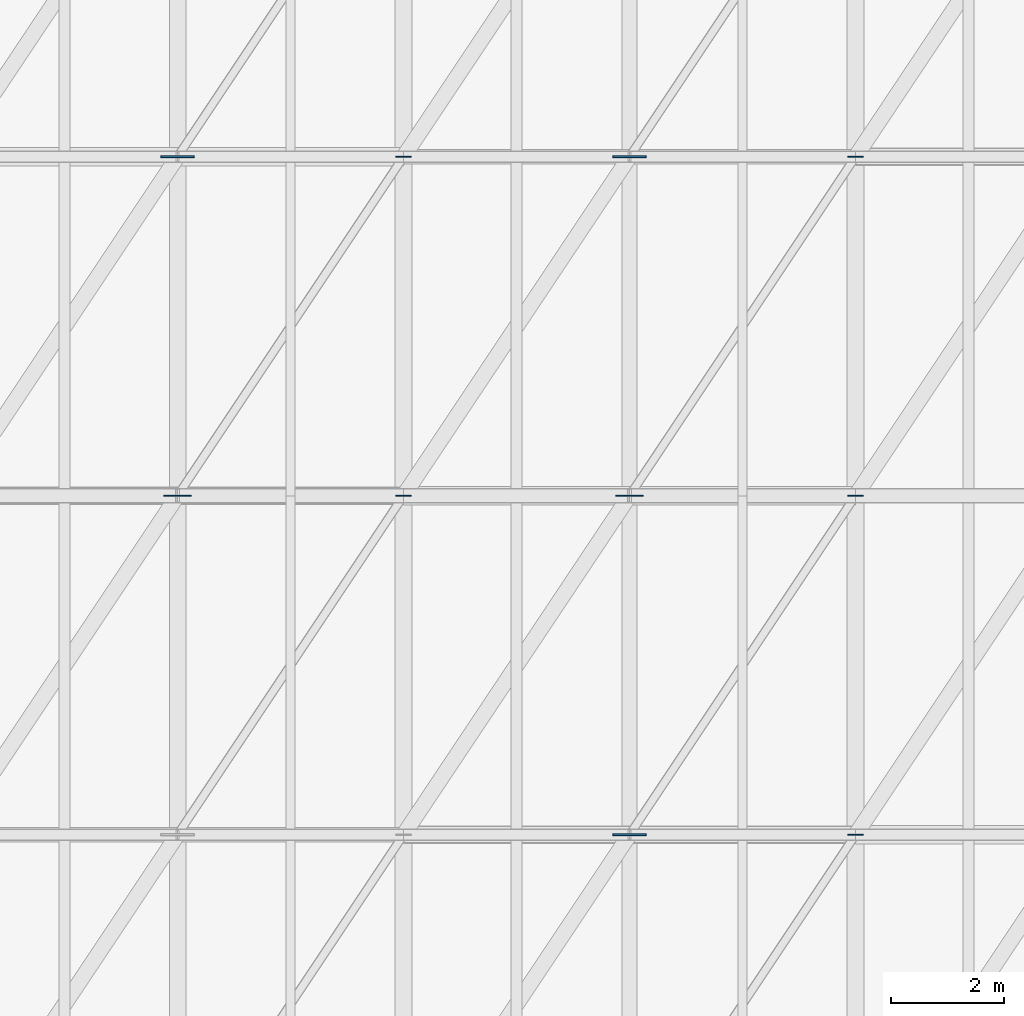
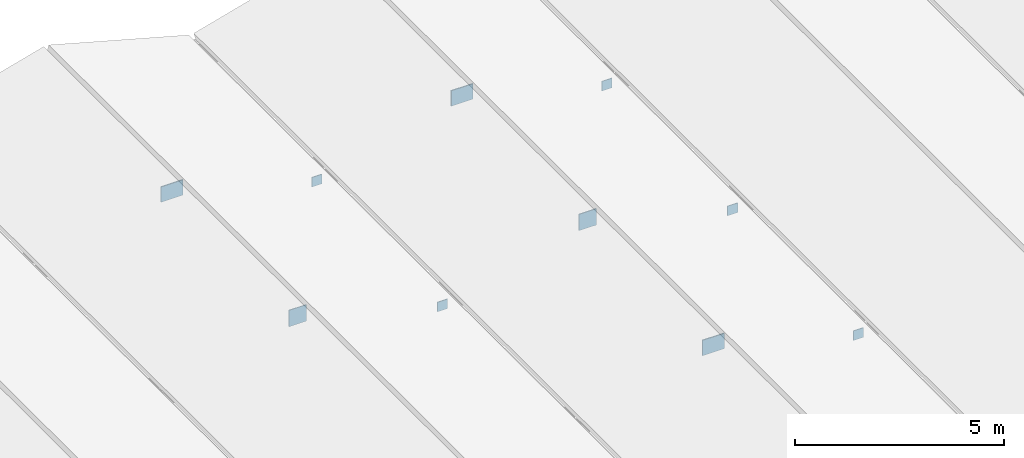
# One storey, part 15 of 27: 10 plates.
"""IFC4 building model written with IfcOpenShell, lengths in metres."""

from ifc_helpers import new_model, si_unit, direction, frame, origin, origin_2d, place, context, subcontext, project, spatial, rectangle, extrude, material, layer, layer_set, type_object, element, save


model = new_model("IFC4")

# Units and contexts
model_context = context("Model", 3, precision=1e-05, world=origin(), true_north=direction((0.0, 1.0)))
body_context = subcontext(model_context, "Body", "Model", "MODEL_VIEW")
ifc_project = project(units=[si_unit("LENGTHUNIT", "METRE"), si_unit("AREAUNIT", "SQUARE_METRE"), si_unit("VOLUMEUNIT", "CUBIC_METRE"), si_unit("PLANEANGLEUNIT", "RADIAN"), si_unit("MASSUNIT", "GRAM", prefix="KILO")], contexts=[model_context])

# Site, building, storey
site_placement = place(None, origin())
site = spatial("IfcSite", under=ifc_project, at=site_placement, CompositionType="ELEMENT")
building_placement = place(site_placement, origin())
building = spatial("IfcBuilding", under=site, at=building_placement, Name="Verrall Gate Interchange", CompositionType="ELEMENT")
storey_placement = place(building_placement, frame((0.0, 0.0, 32.800048828125)))
storey = spatial("IfcBuildingStorey", under=building, at=storey_placement, Name="RF", CompositionType="ELEMENT", Elevation=32.800048828125)

# Plates
ifc_material_1 = material(Name="Structural Steel CSA G40.21 350WT Cat 4", Category="steel")
ifc_layer_1 = layer(ifc_material_1, 0.02001953125)
ifc_layer_set_1 = layer_set([ifc_layer_1], Name="Structural Steel CSA G40.21 350WT Cat 4")
plate_type_1 = type_object("IfcPlateType", Name="GP-01 Gusset Plate 20", PredefinedType="SHEET", material=ifc_layer_set_1)
for number, where, z_axis, x_axis, name in (
    (1, (56.0, 36.0, -15.9482421875), (0.0, 0.0, 1.0), (1.0, 0.0, 0.0), "Folded-Plate Ridge Gusset Node KN-R3-4"),
    (2, (64.0, 36.0, -15.9482421875), (0.0, 0.0, 1.0), (1.0, 0.0, 0.0), "Folded-Plate Ridge Gusset Node KN-R4-4"),
):
    element("IfcPlate", number, at=place(storey_placement, frame(where, z_axis=z_axis, x_axis=x_axis)), inside=storey, type_object=plate_type_1, Name=name, PredefinedType="SHEET", context=body_context, shape_type="SweptSolid", body=[
        extrude(rectangle(XDim=0.47998046875, YDim=0.02001953125, at=origin_2d()), origin(), (0.0, 0.0, 1.0), 0.47998046875),
    ])
for number, where, z_axis, x_axis, name in (
    (3, (60.0, 36.0, -16.9482421875), (0.0, 0.0, 1.0), (1.0, 0.0, 0.0), "Folded-Plate Valley Gusset Node KN-V4-0-4"),
    (4, (60.0, 42.0, -16.9482421875), (0.0, 0.0, 1.0), (1.0, 0.0, 0.0), "Folded-Plate Valley Gusset Node KN-V4-0-5"),
    (5, (68.0, 30.0, -16.9482421875), (0.0, 0.0, 1.0), (1.0, 0.0, 0.0), "Folded-Plate Valley Gusset Node KN-V5-0-3"),
    (6, (68.0, 36.0, -16.9482421875), (0.0, 0.0, 1.0), (1.0, 0.0, 0.0), "Folded-Plate Valley Gusset Node KN-V5-0-4"),
    (7, (68.0, 42.0, -16.9482421875), (0.0, 0.0, 1.0), (1.0, 0.0, 0.0), "Folded-Plate Valley Gusset Node KN-V5-0-5"),
):
    element("IfcPlate", number, at=place(storey_placement, frame(where, z_axis=z_axis, x_axis=x_axis)), inside=storey, type_object=plate_type_1, Name=name, PredefinedType="SHEET", context=body_context, shape_type="SweptSolid", body=[
        extrude(rectangle(XDim=0.280029296875, YDim=0.02001953125, at=origin_2d()), origin(), (0.0, 0.0, 1.0), 0.280029296875),
    ])
ifc_material_2 = material(Name="Structural Steel CSA G40.21 350WT Cat 4", Category="steel")
ifc_layer_2 = layer(ifc_material_2, 0.030029296875)
ifc_layer_set_2 = layer_set([ifc_layer_2], Name="Structural Steel CSA G40.21 350WT Cat 4")
plate_type_2 = type_object("IfcPlateType", Name="GP-02 Gusset Plate 30", PredefinedType="SHEET", material=ifc_layer_set_2)
for number, where, z_axis, x_axis, name in (
    (8, (56.0, 42.0, -15.93310546875), (0.0, 0.0, 1.0), (1.0, 0.0, 0.0), "Folded-Plate Ridge Gusset Node KN-R3-5"),
    (9, (64.0, 30.0, -15.93310546875), (0.0, 0.0, 1.0), (1.0, 0.0, 0.0), "Folded-Plate Ridge Gusset Node KN-R4-3"),
    (10, (64.0, 42.0, -15.93310546875), (0.0, 0.0, 1.0), (1.0, 0.0, 0.0), "Folded-Plate Ridge Gusset Node KN-R4-5"),
):
    element("IfcPlate", number, at=place(storey_placement, frame(where, z_axis=z_axis, x_axis=x_axis)), inside=storey, type_object=plate_type_2, Name=name, PredefinedType="SHEET", context=body_context, shape_type="SweptSolid", body=[
        extrude(rectangle(XDim=0.60009765625, YDim=0.030029296875, at=origin_2d()), origin(), (0.0, 0.0, 1.0), 0.449951171875),
    ])

save(model, "model.ifc")
